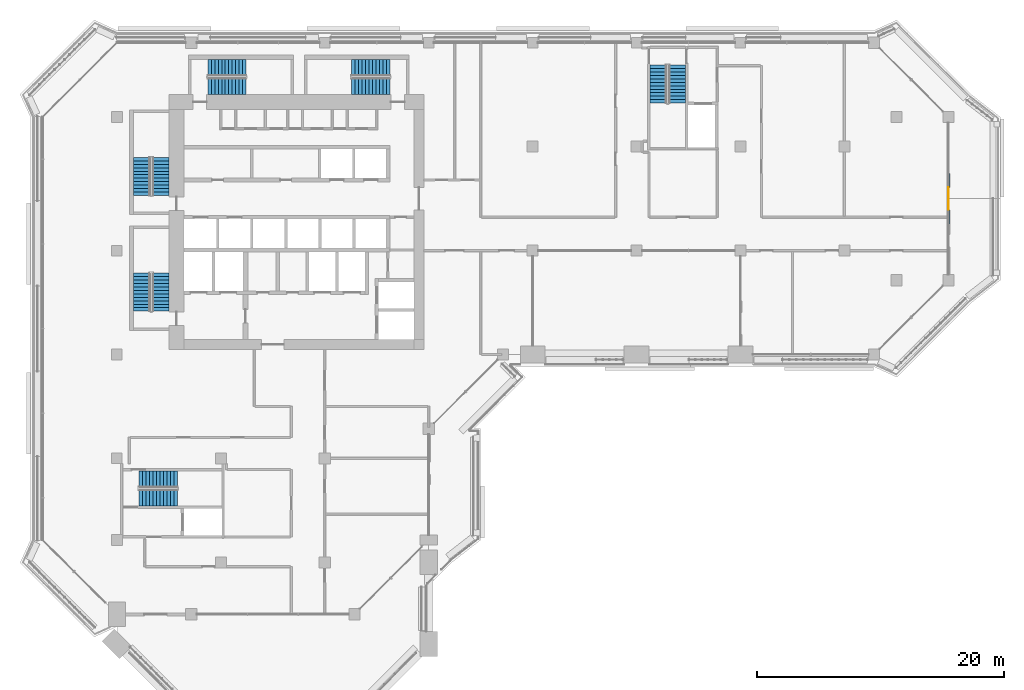
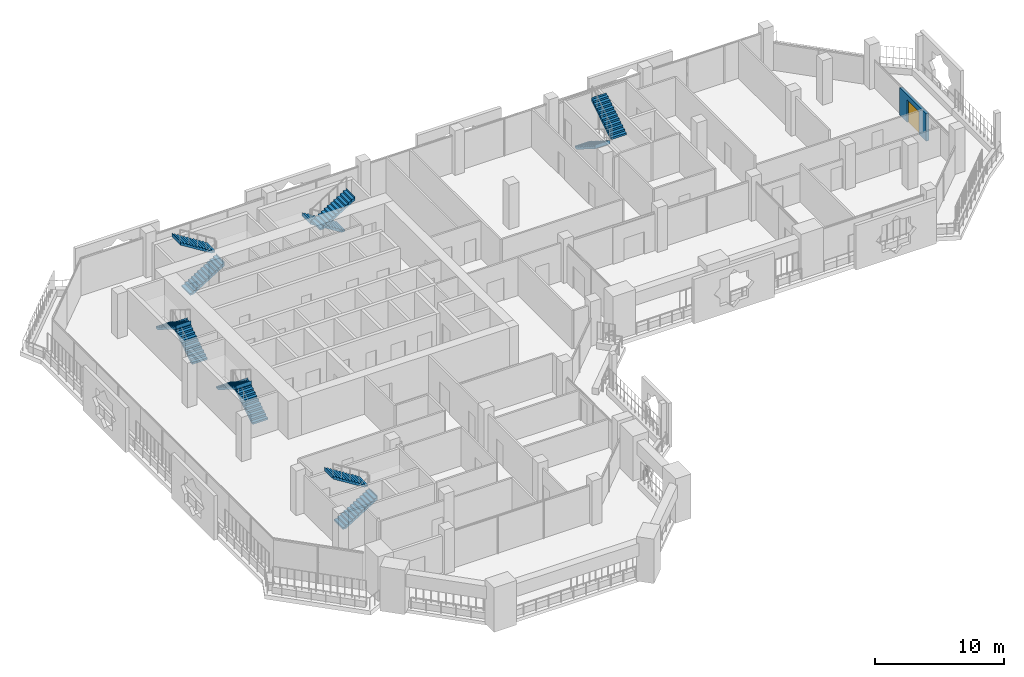
# One storey, part 16 of 24: 12 stair flights, 1 door, 1 wall, 1 opening, 6 elements without a shape of their own.
"""IFC4 building model written with IfcOpenShell, lengths in metres."""

from ifc_helpers import new_model, si_unit, direction, frame, frame_2d, origin, place, context, subcontext, project, spatial, polyline, rectangle, outline, extrude, material, layer, layer_set, type_object, element, fill, aggregate, save


model = new_model("IFC4")

# Units and contexts
model_context = context("Model", 3, precision=1e-05, world=origin(), true_north=direction((0.0, 1.0)))
body_context = subcontext(model_context, "Body", "Model", "MODEL_VIEW")
ifc_project = project(units=[si_unit("LENGTHUNIT", "METRE"), si_unit("AREAUNIT", "SQUARE_METRE"), si_unit("VOLUMEUNIT", "CUBIC_METRE"), si_unit("PLANEANGLEUNIT", "RADIAN"), si_unit("MASSUNIT", "GRAM", prefix="KILO")], contexts=[model_context])

# Site, building, storey
site_placement = place(None, origin())
site = spatial("IfcSite", under=ifc_project, at=site_placement, CompositionType="ELEMENT")
building_placement = place(site_placement, origin())
building = spatial("IfcBuilding", under=site, at=building_placement, Name="Kawkab Arch Medical Tower", CompositionType="ELEMENT")
storey_placement = place(building_placement, frame((0.0, 0.0, 218.0)))
storey = spatial("IfcBuildingStorey", under=building, at=storey_placement, Name="L50", CompositionType="ELEMENT", Elevation=218.0)

# Wall, opening, door
ifc_material_1 = material(Name="Bronze clad insulated wall panel")
ifc_layer = layer(ifc_material_1, 0.25)
ifc_layer_set = layer_set([ifc_layer], Name="Bronze clad insulated wall panel")
wall_type = type_object("IfcWallType", Name="External wall bay 250", PredefinedType="SOLIDWALL", material=ifc_layer_set)
wall_placement = place(storey_placement, frame((67.199951171875, -14.64990234375, 0.0), z_axis=(0.0, 0.0, 1.0), x_axis=(0.0, 1.0, 0.0)))
wall = element("IfcWall", 1, at=wall_placement, inside=storey, type_object=wall_type, Name="External wall bay L50.R07.1.2", PredefinedType="SOLIDWALL", context=body_context, shape_type="SweptSolid", body=[
    extrude(rectangle(XDim=4.099853515625, YDim=0.25, at=frame_2d((2.0498046875, 0.0))), origin(), (0.0, 0.0, 1.0), 2.580078125),
])
opening_placement = place(wall_placement, frame((1.14990234375, 0.0, 0.0)))
opening = element("IfcOpeningElement", 2, at=opening_placement, cuts=wall, Name="Opening B50-701", PredefinedType="OPENING", context=body_context, shape_type="SweptSolid", body=[
    extrude(rectangle(XDim=1.800048828125, YDim=2.10009765625, at=frame_2d((0.89990234375, 1.050048828125))), frame((0.0, 0.135009765625, 0.0), z_axis=(0.0, -1.0, 0.0), x_axis=(1.0, 0.0, 0.0)), (0.0, 0.0, 1.0), 0.27001953125),
])
ifc_material_2 = material(Name="Bronze anodised aluminium door with tinted glass", Category="aluminium")
door_type = type_object("IfcDoorType", Name="Double external door 1800 x 2100", OperationType="DOUBLE_DOOR_SINGLE_SWING", PredefinedType="DOOR", material=ifc_material_2)
door_placement = place(opening_placement, origin())
door = element("IfcDoor", 3, at=door_placement, inside=storey, type_object=door_type, Name="External door L50.R07.1.2", OperationType="DOUBLE_DOOR_SINGLE_SWING", OverallHeight=2.10009765625, OverallWidth=1.800048828125, PredefinedType="DOOR", context=body_context, shape_type="SweptSolid", body=[
    extrude(rectangle(XDim=1.800048828125, YDim=2.10009765625, at=frame_2d((0.89990234375, 1.050048828125))), frame((0.0, 0.02490234375, 0.0), z_axis=(0.0, -1.0, 0.0), x_axis=(1.0, 0.0, 0.0)), (0.0, 0.0, 1.0), 0.050048828125),
])
fill(opening, door)

# Stair, stair flights
ifc_material_3 = material(Name="Concrete C40/50", Category="concrete")
stair_type = type_object("IfcStairType", Name="Exit stair 1350", PredefinedType="HALF_TURN_STAIR", material=ifc_material_3)
placement = place(storey_placement, origin())
stair_1 = element("IfcStair", 4, at=placement, inside=storey, type_object=stair_type, Name="L50 Exit stair ST1", PredefinedType="HALF_TURN_STAIR")
ifc_material_4 = material(Name="Concrete C40/50", Category="concrete")
stair_flight_type = type_object("IfcStairFlightType", Name="Exit stair flight 1350", PredefinedType="STRAIGHT", material=ifc_material_4)
stair_flight_1_placement = place(storey_placement, frame((3.52490234375, -12.35009765625, 0.0), z_axis=(0.0, 0.0, 1.0), x_axis=(0.0, 1.0, 0.0)))
stair_flight_1 = element("IfcStairFlight", 5, at=stair_flight_1_placement, type_object=stair_flight_type, Name="ST1 flight 1", NumberOfRisers=12, NumberOfTreads=11, PredefinedType="STRAIGHT", RiserHeight=0.175, TreadLength=0.28, context=body_context, shape_type="SweptSolid", body=[
    extrude(outline(polyline([(-0.0029296875, 0.0), (-0.0029296875, 0.175048828125), (0.0, 0.175048828125), (0.280029296875, 0.175048828125), (0.280029296875, 0.35009765625), (0.56005859375, 0.35009765625), (0.56005859375, 0.52490234375), (0.840087890625, 0.52490234375), (0.840087890625, 0.699951171875), (1.1201171875, 0.699951171875), (1.1201171875, 0.875), (1.39990234375, 0.875), (1.39990234375, 1.050048828125), (1.679931640625, 1.050048828125), (1.679931640625, 1.22509765625), (1.9599609375, 1.22509765625), (1.9599609375, 1.39990234375), (2.239990234375, 1.39990234375), (2.239990234375, 1.574951171875), (2.52001953125, 1.574951171875), (2.52001953125, 1.75), (2.800048828125, 1.75), (2.800048828125, 1.925048828125), (3.080078125, 1.925048828125), (3.080078125, 2.10009765625), (3.0830078125, 2.10009765625), (3.0830078125, 1.748291015625), (3.080078125, 1.748291015625), (0.28271484375, 0.0), (-0.0029296875, 0.0)])), frame((0.0, 0.675048828125, 0.0), z_axis=(0.0, -1.0, 0.0), x_axis=(1.0, 0.0, 0.0)), (0.0, 0.0, 1.0), 1.35009765625),
])
stair_flight_2_placement = place(storey_placement, frame((2.02490234375, -9.27001953125, 2.10009765625), z_axis=(0.0, 0.0, 1.0), x_axis=(0.0, -1.0, 0.0)))
stair_flight_2 = element("IfcStairFlight", 6, at=stair_flight_2_placement, type_object=stair_flight_type, Name="ST1 flight 2", NumberOfRisers=12, NumberOfTreads=11, PredefinedType="STRAIGHT", RiserHeight=0.175, TreadLength=0.28, context=body_context, shape_type="SweptSolid", body=[
    extrude(outline(polyline([(-0.0029296875, 0.0), (-0.0029296875, 0.175048828125), (0.0, 0.175048828125), (0.280029296875, 0.175048828125), (0.280029296875, 0.35009765625), (0.56005859375, 0.35009765625), (0.56005859375, 0.52490234375), (0.840087890625, 0.52490234375), (0.840087890625, 0.699951171875), (1.1201171875, 0.699951171875), (1.1201171875, 0.875), (1.39990234375, 0.875), (1.39990234375, 1.050048828125), (1.679931640625, 1.050048828125), (1.679931640625, 1.22509765625), (1.9599609375, 1.22509765625), (1.9599609375, 1.39990234375), (2.239990234375, 1.39990234375), (2.239990234375, 1.574951171875), (2.52001953125, 1.574951171875), (2.52001953125, 1.75), (2.800048828125, 1.75), (2.800048828125, 1.925048828125), (3.080078125, 1.925048828125), (3.080078125, 2.10009765625), (3.0830078125, 2.10009765625), (3.0830078125, 1.748291015625), (3.080078125, 1.748291015625), (0.28271484375, 0.0), (-0.0029296875, 0.0)])), frame((0.0, 0.675048828125, 0.0), z_axis=(0.0, -1.0, 0.0), x_axis=(1.0, 0.0, 0.0)), (0.0, 0.0, 1.0), 1.35009765625),
])
aggregate(stair_1, [stair_flight_1, stair_flight_2])

stair_2 = element("IfcStair", 7, at=placement, inside=storey, type_object=stair_type, Name="L50 Exit stair ST2", PredefinedType="HALF_TURN_STAIR")
stair_flight_3_placement = place(storey_placement, frame((3.52490234375, -21.699951171875, 0.0), z_axis=(0.0, 0.0, 1.0), x_axis=(0.0, 1.0, 0.0)))
stair_flight_3 = element("IfcStairFlight", 8, at=stair_flight_3_placement, type_object=stair_flight_type, Name="ST2 flight 1", NumberOfRisers=12, NumberOfTreads=11, PredefinedType="STRAIGHT", RiserHeight=0.175, TreadLength=0.28, context=body_context, shape_type="SweptSolid", body=[
    extrude(outline(polyline([(-0.0029296875, 0.0), (-0.0029296875, 0.175048828125), (0.0, 0.175048828125), (0.280029296875, 0.175048828125), (0.280029296875, 0.35009765625), (0.56005859375, 0.35009765625), (0.56005859375, 0.52490234375), (0.840087890625, 0.52490234375), (0.840087890625, 0.699951171875), (1.1201171875, 0.699951171875), (1.1201171875, 0.875), (1.39990234375, 0.875), (1.39990234375, 1.050048828125), (1.679931640625, 1.050048828125), (1.679931640625, 1.22509765625), (1.9599609375, 1.22509765625), (1.9599609375, 1.39990234375), (2.239990234375, 1.39990234375), (2.239990234375, 1.574951171875), (2.52001953125, 1.574951171875), (2.52001953125, 1.75), (2.800048828125, 1.75), (2.800048828125, 1.925048828125), (3.080078125, 1.925048828125), (3.080078125, 2.10009765625), (3.0830078125, 2.10009765625), (3.0830078125, 1.748291015625), (3.080078125, 1.748291015625), (0.28271484375, 0.0), (-0.0029296875, 0.0)])), frame((0.0, 0.675048828125, 0.0), z_axis=(0.0, -1.0, 0.0), x_axis=(1.0, 0.0, 0.0)), (0.0, 0.0, 1.0), 1.35009765625),
])
stair_flight_4_placement = place(storey_placement, frame((2.02490234375, -18.6201171875, 2.10009765625), z_axis=(0.0, 0.0, 1.0), x_axis=(0.0, -1.0, 0.0)))
stair_flight_4 = element("IfcStairFlight", 9, at=stair_flight_4_placement, type_object=stair_flight_type, Name="ST2 flight 2", NumberOfRisers=12, NumberOfTreads=11, PredefinedType="STRAIGHT", RiserHeight=0.175, TreadLength=0.28, context=body_context, shape_type="SweptSolid", body=[
    extrude(outline(polyline([(-0.0029296875, 0.0), (-0.0029296875, 0.175048828125), (0.0, 0.175048828125), (0.280029296875, 0.175048828125), (0.280029296875, 0.35009765625), (0.56005859375, 0.35009765625), (0.56005859375, 0.52490234375), (0.840087890625, 0.52490234375), (0.840087890625, 0.699951171875), (1.1201171875, 0.699951171875), (1.1201171875, 0.875), (1.39990234375, 0.875), (1.39990234375, 1.050048828125), (1.679931640625, 1.050048828125), (1.679931640625, 1.22509765625), (1.9599609375, 1.22509765625), (1.9599609375, 1.39990234375), (2.239990234375, 1.39990234375), (2.239990234375, 1.574951171875), (2.52001953125, 1.574951171875), (2.52001953125, 1.75), (2.800048828125, 1.75), (2.800048828125, 1.925048828125), (3.080078125, 1.925048828125), (3.080078125, 2.10009765625), (3.0830078125, 2.10009765625), (3.0830078125, 1.748291015625), (3.080078125, 1.748291015625), (0.28271484375, 0.0), (-0.0029296875, 0.0)])), frame((0.0, 0.675048828125, 0.0), z_axis=(0.0, -1.0, 0.0), x_axis=(1.0, 0.0, 0.0)), (0.0, 0.0, 1.0), 1.35009765625),
])
aggregate(stair_2, [stair_flight_3, stair_flight_4])

stair_3 = element("IfcStair", 10, at=placement, inside=storey, type_object=stair_type, Name="L50 Exit stair ST3", PredefinedType="HALF_TURN_STAIR")
stair_flight_5_placement = place(storey_placement, frame((7.35009765625, -3.52490234375, 0.0), z_axis=(0.0, 0.0, 1.0), x_axis=(1.0, 0.0, 0.0)))
stair_flight_5 = element("IfcStairFlight", 11, at=stair_flight_5_placement, type_object=stair_flight_type, Name="ST3 flight 1", NumberOfRisers=12, NumberOfTreads=11, PredefinedType="STRAIGHT", RiserHeight=0.175, TreadLength=0.28, context=body_context, shape_type="SweptSolid", body=[
    extrude(outline(polyline([(-0.0029296875, 0.0), (-0.0029296875, 0.175048828125), (0.0, 0.175048828125), (0.280029296875, 0.175048828125), (0.280029296875, 0.35009765625), (0.56005859375, 0.35009765625), (0.56005859375, 0.52490234375), (0.840087890625, 0.52490234375), (0.840087890625, 0.699951171875), (1.1201171875, 0.699951171875), (1.1201171875, 0.875), (1.39990234375, 0.875), (1.39990234375, 1.050048828125), (1.679931640625, 1.050048828125), (1.679931640625, 1.22509765625), (1.9599609375, 1.22509765625), (1.9599609375, 1.39990234375), (2.239990234375, 1.39990234375), (2.239990234375, 1.574951171875), (2.52001953125, 1.574951171875), (2.52001953125, 1.75), (2.800048828125, 1.75), (2.800048828125, 1.925048828125), (3.080078125, 1.925048828125), (3.080078125, 2.10009765625), (3.0830078125, 2.10009765625), (3.0830078125, 1.748291015625), (3.080078125, 1.748291015625), (0.28271484375, 0.0), (-0.0029296875, 0.0)])), frame((0.0, 0.675048828125, 0.0), z_axis=(0.0, -1.0, 0.0), x_axis=(1.0, 0.0, 0.0)), (0.0, 0.0, 1.0), 1.35009765625),
])
stair_flight_6_placement = place(storey_placement, frame((10.429931640625, -2.02490234375, 2.10009765625), z_axis=(0.0, 0.0, 1.0), x_axis=(-1.0, 0.0, 0.0)))
stair_flight_6 = element("IfcStairFlight", 12, at=stair_flight_6_placement, type_object=stair_flight_type, Name="ST3 flight 2", NumberOfRisers=12, NumberOfTreads=11, PredefinedType="STRAIGHT", RiserHeight=0.175, TreadLength=0.28, context=body_context, shape_type="SweptSolid", body=[
    extrude(outline(polyline([(-0.0029296875, 0.0), (-0.0029296875, 0.175048828125), (0.0, 0.175048828125), (0.280029296875, 0.175048828125), (0.280029296875, 0.35009765625), (0.56005859375, 0.35009765625), (0.56005859375, 0.52490234375), (0.840087890625, 0.52490234375), (0.840087890625, 0.699951171875), (1.1201171875, 0.699951171875), (1.1201171875, 0.875), (1.39990234375, 0.875), (1.39990234375, 1.050048828125), (1.679931640625, 1.050048828125), (1.679931640625, 1.22509765625), (1.9599609375, 1.22509765625), (1.9599609375, 1.39990234375), (2.239990234375, 1.39990234375), (2.239990234375, 1.574951171875), (2.52001953125, 1.574951171875), (2.52001953125, 1.75), (2.800048828125, 1.75), (2.800048828125, 1.925048828125), (3.080078125, 1.925048828125), (3.080078125, 2.10009765625), (3.0830078125, 2.10009765625), (3.0830078125, 1.748291015625), (3.080078125, 1.748291015625), (0.28271484375, 0.0), (-0.0029296875, 0.0)])), frame((0.0, 0.675048828125, 0.0), z_axis=(0.0, -1.0, 0.0), x_axis=(1.0, 0.0, 0.0)), (0.0, 0.0, 1.0), 1.35009765625),
])
aggregate(stair_3, [stair_flight_5, stair_flight_6])

stair_4 = element("IfcStair", 13, at=placement, inside=storey, type_object=stair_type, Name="L50 Exit stair ST4", PredefinedType="HALF_TURN_STAIR")
stair_flight_7_placement = place(storey_placement, frame((22.050048828125, -2.02490234375, 0.0), z_axis=(0.0, 0.0, 1.0), x_axis=(-1.0, 0.0, 0.0)))
stair_flight_7 = element("IfcStairFlight", 14, at=stair_flight_7_placement, type_object=stair_flight_type, Name="ST4 flight 1", NumberOfRisers=12, NumberOfTreads=11, PredefinedType="STRAIGHT", RiserHeight=0.175, TreadLength=0.28, context=body_context, shape_type="SweptSolid", body=[
    extrude(outline(polyline([(-0.0029296875, 0.0), (-0.0029296875, 0.175048828125), (0.0, 0.175048828125), (0.280029296875, 0.175048828125), (0.280029296875, 0.35009765625), (0.56005859375, 0.35009765625), (0.56005859375, 0.52490234375), (0.840087890625, 0.52490234375), (0.840087890625, 0.699951171875), (1.1201171875, 0.699951171875), (1.1201171875, 0.875), (1.39990234375, 0.875), (1.39990234375, 1.050048828125), (1.679931640625, 1.050048828125), (1.679931640625, 1.22509765625), (1.9599609375, 1.22509765625), (1.9599609375, 1.39990234375), (2.239990234375, 1.39990234375), (2.239990234375, 1.574951171875), (2.52001953125, 1.574951171875), (2.52001953125, 1.75), (2.800048828125, 1.75), (2.800048828125, 1.925048828125), (3.080078125, 1.925048828125), (3.080078125, 2.10009765625), (3.0830078125, 2.10009765625), (3.0830078125, 1.748291015625), (3.080078125, 1.748291015625), (0.28271484375, 0.0), (-0.0029296875, 0.0)])), frame((0.0, 0.675048828125, 0.0), z_axis=(0.0, -1.0, 0.0), x_axis=(1.0, 0.0, 0.0)), (0.0, 0.0, 1.0), 1.35009765625),
])
stair_flight_8_placement = place(storey_placement, frame((18.969970703125, -3.52490234375, 2.10009765625), z_axis=(0.0, 0.0, 1.0), x_axis=(1.0, 0.0, 0.0)))
stair_flight_8 = element("IfcStairFlight", 15, at=stair_flight_8_placement, type_object=stair_flight_type, Name="ST4 flight 2", NumberOfRisers=12, NumberOfTreads=11, PredefinedType="STRAIGHT", RiserHeight=0.175, TreadLength=0.28, context=body_context, shape_type="SweptSolid", body=[
    extrude(outline(polyline([(-0.0029296875, 0.0), (-0.0029296875, 0.175048828125), (0.0, 0.175048828125), (0.280029296875, 0.175048828125), (0.280029296875, 0.35009765625), (0.56005859375, 0.35009765625), (0.56005859375, 0.52490234375), (0.840087890625, 0.52490234375), (0.840087890625, 0.699951171875), (1.1201171875, 0.699951171875), (1.1201171875, 0.875), (1.39990234375, 0.875), (1.39990234375, 1.050048828125), (1.679931640625, 1.050048828125), (1.679931640625, 1.22509765625), (1.9599609375, 1.22509765625), (1.9599609375, 1.39990234375), (2.239990234375, 1.39990234375), (2.239990234375, 1.574951171875), (2.52001953125, 1.574951171875), (2.52001953125, 1.75), (2.800048828125, 1.75), (2.800048828125, 1.925048828125), (3.080078125, 1.925048828125), (3.080078125, 2.10009765625), (3.0830078125, 2.10009765625), (3.0830078125, 1.748291015625), (3.080078125, 1.748291015625), (0.28271484375, 0.0), (-0.0029296875, 0.0)])), frame((0.0, 0.675048828125, 0.0), z_axis=(0.0, -1.0, 0.0), x_axis=(1.0, 0.0, 0.0)), (0.0, 0.0, 1.0), 1.35009765625),
])
aggregate(stair_4, [stair_flight_7, stair_flight_8])

stair_5 = element("IfcStair", 16, at=placement, inside=storey, type_object=stair_type, Name="L50 Exit stair ST5", PredefinedType="HALF_TURN_STAIR")
stair_flight_9_placement = place(storey_placement, frame((43.77490234375, -1.800048828125, 0.0), z_axis=(0.0, 0.0, 1.0), x_axis=(0.0, -1.0, 0.0)))
stair_flight_9 = element("IfcStairFlight", 17, at=stair_flight_9_placement, type_object=stair_flight_type, Name="ST5 flight 1", NumberOfRisers=12, NumberOfTreads=11, PredefinedType="STRAIGHT", RiserHeight=0.175, TreadLength=0.28, context=body_context, shape_type="SweptSolid", body=[
    extrude(outline(polyline([(-0.0029296875, 0.0), (-0.0029296875, 0.175048828125), (0.0, 0.175048828125), (0.280029296875, 0.175048828125), (0.280029296875, 0.35009765625), (0.56005859375, 0.35009765625), (0.56005859375, 0.52490234375), (0.840087890625, 0.52490234375), (0.840087890625, 0.699951171875), (1.1201171875, 0.699951171875), (1.1201171875, 0.875), (1.39990234375, 0.875), (1.39990234375, 1.050048828125), (1.679931640625, 1.050048828125), (1.679931640625, 1.22509765625), (1.9599609375, 1.22509765625), (1.9599609375, 1.39990234375), (2.239990234375, 1.39990234375), (2.239990234375, 1.574951171875), (2.52001953125, 1.574951171875), (2.52001953125, 1.75), (2.800048828125, 1.75), (2.800048828125, 1.925048828125), (3.080078125, 1.925048828125), (3.080078125, 2.10009765625), (3.0830078125, 2.10009765625), (3.0830078125, 1.748291015625), (3.080078125, 1.748291015625), (0.28271484375, 0.0), (-0.0029296875, 0.0)])), frame((0.0, 0.675048828125, 0.0), z_axis=(0.0, -1.0, 0.0), x_axis=(1.0, 0.0, 0.0)), (0.0, 0.0, 1.0), 1.35009765625),
])
stair_flight_10_placement = place(storey_placement, frame((45.27490234375, -4.8798828125, 2.10009765625), z_axis=(0.0, 0.0, 1.0), x_axis=(0.0, 1.0, 0.0)))
stair_flight_10 = element("IfcStairFlight", 18, at=stair_flight_10_placement, type_object=stair_flight_type, Name="ST5 flight 2", NumberOfRisers=12, NumberOfTreads=11, PredefinedType="STRAIGHT", RiserHeight=0.175, TreadLength=0.28, context=body_context, shape_type="SweptSolid", body=[
    extrude(outline(polyline([(-0.0029296875, 0.0), (-0.0029296875, 0.175048828125), (0.0, 0.175048828125), (0.280029296875, 0.175048828125), (0.280029296875, 0.35009765625), (0.56005859375, 0.35009765625), (0.56005859375, 0.52490234375), (0.840087890625, 0.52490234375), (0.840087890625, 0.699951171875), (1.1201171875, 0.699951171875), (1.1201171875, 0.875), (1.39990234375, 0.875), (1.39990234375, 1.050048828125), (1.679931640625, 1.050048828125), (1.679931640625, 1.22509765625), (1.9599609375, 1.22509765625), (1.9599609375, 1.39990234375), (2.239990234375, 1.39990234375), (2.239990234375, 1.574951171875), (2.52001953125, 1.574951171875), (2.52001953125, 1.75), (2.800048828125, 1.75), (2.800048828125, 1.925048828125), (3.080078125, 1.925048828125), (3.080078125, 2.10009765625), (3.0830078125, 2.10009765625), (3.0830078125, 1.748291015625), (3.080078125, 1.748291015625), (0.28271484375, 0.0), (-0.0029296875, 0.0)])), frame((0.0, 0.675048828125, 0.0), z_axis=(0.0, -1.0, 0.0), x_axis=(1.0, 0.0, 0.0)), (0.0, 0.0, 1.0), 1.35009765625),
])
aggregate(stair_5, [stair_flight_9, stair_flight_10])

stair_6 = element("IfcStair", 19, at=placement, inside=storey, type_object=stair_type, Name="L50 Exit stair ST6", PredefinedType="HALF_TURN_STAIR")
stair_flight_11_placement = place(storey_placement, frame((1.800048828125, -36.77490234375, 0.0), z_axis=(0.0, 0.0, 1.0), x_axis=(1.0, 0.0, 0.0)))
stair_flight_11 = element("IfcStairFlight", 20, at=stair_flight_11_placement, type_object=stair_flight_type, Name="ST6 flight 1", NumberOfRisers=12, NumberOfTreads=11, PredefinedType="STRAIGHT", RiserHeight=0.175, TreadLength=0.28, context=body_context, shape_type="SweptSolid", body=[
    extrude(outline(polyline([(-0.0029296875, 0.0), (-0.0029296875, 0.175048828125), (0.0, 0.175048828125), (0.280029296875, 0.175048828125), (0.280029296875, 0.35009765625), (0.56005859375, 0.35009765625), (0.56005859375, 0.52490234375), (0.840087890625, 0.52490234375), (0.840087890625, 0.699951171875), (1.1201171875, 0.699951171875), (1.1201171875, 0.875), (1.39990234375, 0.875), (1.39990234375, 1.050048828125), (1.679931640625, 1.050048828125), (1.679931640625, 1.22509765625), (1.9599609375, 1.22509765625), (1.9599609375, 1.39990234375), (2.239990234375, 1.39990234375), (2.239990234375, 1.574951171875), (2.52001953125, 1.574951171875), (2.52001953125, 1.75), (2.800048828125, 1.75), (2.800048828125, 1.925048828125), (3.080078125, 1.925048828125), (3.080078125, 2.10009765625), (3.0830078125, 2.10009765625), (3.0830078125, 1.748291015625), (3.080078125, 1.748291015625), (0.28271484375, 0.0), (-0.0029296875, 0.0)])), frame((0.0, 0.675048828125, 0.0), z_axis=(0.0, -1.0, 0.0), x_axis=(1.0, 0.0, 0.0)), (0.0, 0.0, 1.0), 1.35009765625),
])
stair_flight_12_placement = place(storey_placement, frame((4.8798828125, -35.27490234375, 2.10009765625), z_axis=(0.0, 0.0, 1.0), x_axis=(-1.0, 0.0, 0.0)))
stair_flight_12 = element("IfcStairFlight", 21, at=stair_flight_12_placement, type_object=stair_flight_type, Name="ST6 flight 2", NumberOfRisers=12, NumberOfTreads=11, PredefinedType="STRAIGHT", RiserHeight=0.175, TreadLength=0.28, context=body_context, shape_type="SweptSolid", body=[
    extrude(outline(polyline([(-0.0029296875, 0.0), (-0.0029296875, 0.175048828125), (0.0, 0.175048828125), (0.280029296875, 0.175048828125), (0.280029296875, 0.35009765625), (0.56005859375, 0.35009765625), (0.56005859375, 0.52490234375), (0.840087890625, 0.52490234375), (0.840087890625, 0.699951171875), (1.1201171875, 0.699951171875), (1.1201171875, 0.875), (1.39990234375, 0.875), (1.39990234375, 1.050048828125), (1.679931640625, 1.050048828125), (1.679931640625, 1.22509765625), (1.9599609375, 1.22509765625), (1.9599609375, 1.39990234375), (2.239990234375, 1.39990234375), (2.239990234375, 1.574951171875), (2.52001953125, 1.574951171875), (2.52001953125, 1.75), (2.800048828125, 1.75), (2.800048828125, 1.925048828125), (3.080078125, 1.925048828125), (3.080078125, 2.10009765625), (3.0830078125, 2.10009765625), (3.0830078125, 1.748291015625), (3.080078125, 1.748291015625), (0.28271484375, 0.0), (-0.0029296875, 0.0)])), frame((0.0, 0.675048828125, 0.0), z_axis=(0.0, -1.0, 0.0), x_axis=(1.0, 0.0, 0.0)), (0.0, 0.0, 1.0), 1.35009765625),
])
aggregate(stair_6, [stair_flight_11, stair_flight_12])

save(model, "model.ifc")
